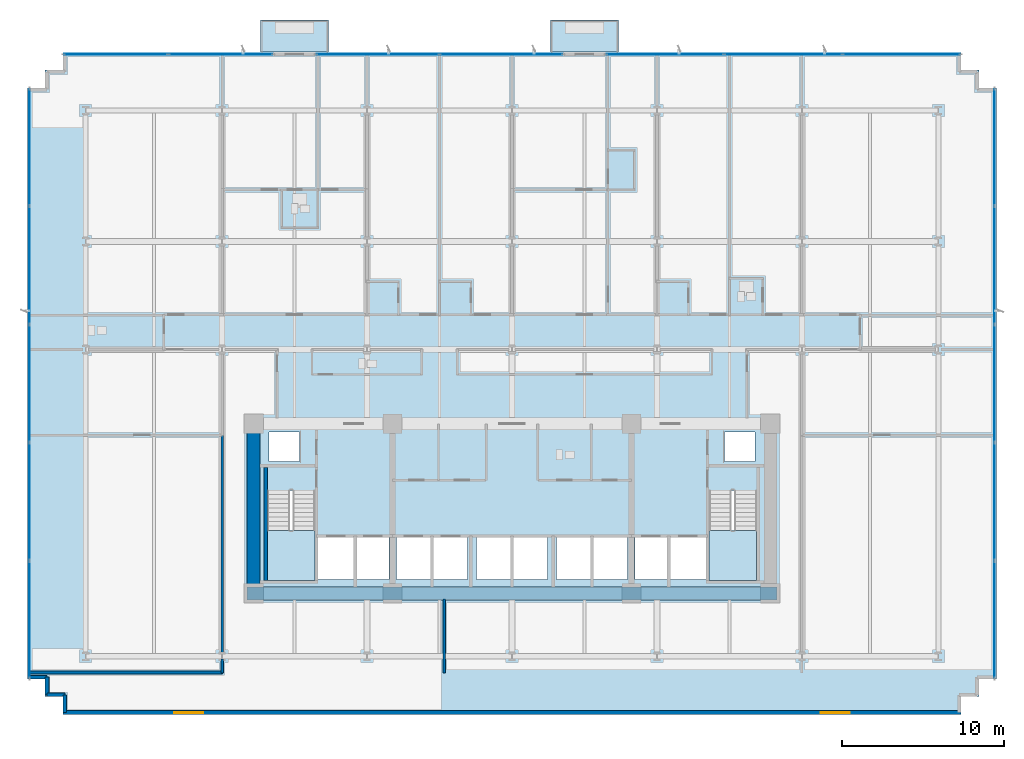
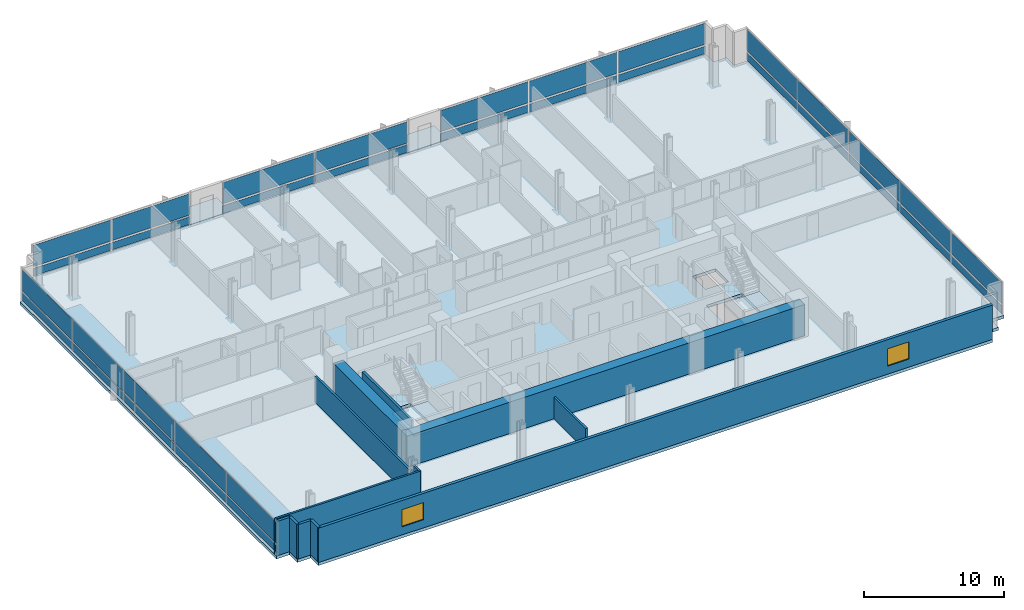
# One storey, part 7 of 15: 34 plates, 12 walls, 5 slabs, 2 windows, 2 openings, 7 elements without a shape of their own.
"""IFC4 building model written with IfcOpenShell, lengths in metres."""

from ifc_helpers import new_model, si_unit, direction, frame, frame_2d, origin, origin_2d, place, context, subcontext, project, spatial, polyline, rectangle, outline, extrude, material, layer, layer_set, type_object, element, fill, aggregate, save


model = new_model("IFC4")

# Units and contexts
model_context = context("Model", 3, precision=1e-05, world=origin(), true_north=direction((0.0, 1.0)))
body_context = subcontext(model_context, "Body", "Model", "MODEL_VIEW")
ifc_project = project(units=[si_unit("LENGTHUNIT", "METRE"), si_unit("AREAUNIT", "SQUARE_METRE"), si_unit("VOLUMEUNIT", "CUBIC_METRE"), si_unit("PLANEANGLEUNIT", "RADIAN"), si_unit("MASSUNIT", "GRAM", prefix="KILO")], contexts=[model_context])

# Site, building, storey
site_placement = place(None, origin())
site = spatial("IfcSite", under=ifc_project, at=site_placement, CompositionType="ELEMENT")
building_placement = place(site_placement, origin())
building = spatial("IfcBuilding", under=site, at=building_placement, Name="Solmavex Isthmus Hotel", CompositionType="ELEMENT")
storey_placement = place(building_placement, frame((0.0, 0.0, 71.25)))
storey = spatial("IfcBuildingStorey", under=building, at=storey_placement, Name="L19", CompositionType="ELEMENT", Elevation=71.25)

# Curtain wall, plates
ifc_material_1 = material(Name="Aluminium alloy 6063-T6", Category="aluminium")
curtain_wall_type = type_object("IfcCurtainWallType", Name="CW-SYS-02", PredefinedType="NOTDEFINED", material=ifc_material_1)
curtain_wall_1_placement = place(storey_placement, origin())
curtain_wall_1 = element("IfcCurtainWall", 1, at=curtain_wall_1_placement, inside=storey, type_object=curtain_wall_type, Name="Stick Curtain Wall CWL-L19-N1", PredefinedType="NOTDEFINED")
ifc_material_2 = material(Name="Clear low-E laminated glass", Category="glass")
ifc_layer_1 = layer(ifc_material_2, 0.031982421875)
ifc_layer_set_1 = layer_set([ifc_layer_1], Name="Clear low-E laminated glass")
plate_type = type_object("IfcPlateType", Name="CW-SYS-02-PNL", PredefinedType="CURTAIN_PANEL", material=ifc_layer_set_1)
plate_1_placement = place(storey_placement, frame((-24.522216796875, 20.3798828125, 0.16015625), z_axis=(0.0, 0.0, 1.0), x_axis=(1.0, 0.0, 0.0)))
plate_1 = element("IfcPlate", 2, at=plate_1_placement, type_object=plate_type, Name="CW-02 panel 1.1", PredefinedType="CURTAIN_PANEL", context=body_context, shape_type="SweptSolid", body=[
    extrude(rectangle(XDim=6.405517578125, YDim=0.031982421875, at=origin_2d()), origin(), (0.0, 0.0, 1.0), 0.659912109375),
])
plate_2_placement = place(storey_placement, frame((-24.522216796875, 20.3798828125, 0.97998046875), z_axis=(0.0, 0.0, 1.0), x_axis=(1.0, 0.0, 0.0)))
plate_2 = element("IfcPlate", 3, at=plate_2_placement, type_object=plate_type, Name="CW-02 panel 1.2", PredefinedType="CURTAIN_PANEL", context=body_context, shape_type="SweptSolid", body=[
    extrude(rectangle(XDim=6.405517578125, YDim=0.031982421875, at=origin_2d()), origin(), (0.0, 0.0, 1.0), 1.860107421875),
])
plate_3_placement = place(storey_placement, frame((-18.041748046875, 20.3798828125, 0.16015625), z_axis=(0.0, 0.0, 1.0), x_axis=(1.0, 0.0, 0.0)))
plate_3 = element("IfcPlate", 4, at=plate_3_placement, type_object=plate_type, Name="CW-02 panel 2.1", PredefinedType="CURTAIN_PANEL", context=body_context, shape_type="SweptSolid", body=[
    extrude(rectangle(XDim=6.405517578125, YDim=0.031982421875, at=origin_2d()), origin(), (0.0, 0.0, 1.0), 0.659912109375),
])
plate_4_placement = place(storey_placement, frame((-18.041748046875, 20.3798828125, 0.97998046875), z_axis=(0.0, 0.0, 1.0), x_axis=(1.0, 0.0, 0.0)))
plate_4 = element("IfcPlate", 5, at=plate_4_placement, type_object=plate_type, Name="CW-02 panel 2.2", PredefinedType="CURTAIN_PANEL", context=body_context, shape_type="SweptSolid", body=[
    extrude(rectangle(XDim=6.405517578125, YDim=0.031982421875, at=origin_2d()), origin(), (0.0, 0.0, 1.0), 1.860107421875),
])
aggregate(curtain_wall_1, [plate_1, plate_2, plate_3, plate_4])

curtain_wall_2_placement = place(storey_placement, origin())
curtain_wall_2 = element("IfcCurtainWall", 6, at=curtain_wall_2_placement, inside=storey, type_object=curtain_wall_type, Name="Stick Curtain Wall CWL-L19-N2", PredefinedType="NOTDEFINED")
plate_5_placement = place(storey_placement, frame((-8.30712890625, 20.3798828125, 0.16015625), z_axis=(0.0, 0.0, 1.0), x_axis=(1.0, 0.0, 0.0)))
plate_5 = element("IfcPlate", 7, at=plate_5_placement, type_object=plate_type, Name="CW-02 panel 1.1", PredefinedType="CURTAIN_PANEL", context=body_context, shape_type="SweptSolid", body=[
    extrude(rectangle(XDim=7.5634765625, YDim=0.031982421875, at=origin_2d()), origin(), (0.0, 0.0, 1.0), 0.659912109375),
])
plate_6_placement = place(storey_placement, frame((-8.30712890625, 20.3798828125, 0.97998046875), z_axis=(0.0, 0.0, 1.0), x_axis=(1.0, 0.0, 0.0)))
plate_6 = element("IfcPlate", 8, at=plate_6_placement, type_object=plate_type, Name="CW-02 panel 1.2", PredefinedType="CURTAIN_PANEL", context=body_context, shape_type="SweptSolid", body=[
    extrude(rectangle(XDim=7.5634765625, YDim=0.031982421875, at=origin_2d()), origin(), (0.0, 0.0, 1.0), 1.860107421875),
])
plate_7_placement = place(storey_placement, frame((-0.668701171875, 20.3798828125, 0.16015625), z_axis=(0.0, 0.0, 1.0), x_axis=(1.0, 0.0, 0.0)))
plate_7 = element("IfcPlate", 9, at=plate_7_placement, type_object=plate_type, Name="CW-02 panel 2.1", PredefinedType="CURTAIN_PANEL", context=body_context, shape_type="SweptSolid", body=[
    extrude(rectangle(XDim=7.5634765625, YDim=0.031982421875, at=origin_2d()), origin(), (0.0, 0.0, 1.0), 0.659912109375),
])
plate_8_placement = place(storey_placement, frame((-0.668701171875, 20.3798828125, 0.97998046875), z_axis=(0.0, 0.0, 1.0), x_axis=(1.0, 0.0, 0.0)))
plate_8 = element("IfcPlate", 10, at=plate_8_placement, type_object=plate_type, Name="CW-02 panel 2.2", PredefinedType="CURTAIN_PANEL", context=body_context, shape_type="SweptSolid", body=[
    extrude(rectangle(XDim=7.5634765625, YDim=0.031982421875, at=origin_2d()), origin(), (0.0, 0.0, 1.0), 1.860107421875),
])
aggregate(curtain_wall_2, [plate_5, plate_6, plate_7, plate_8])

curtain_wall_3_placement = place(storey_placement, origin())
curtain_wall_3 = element("IfcCurtainWall", 11, at=curtain_wall_3_placement, inside=storey, type_object=curtain_wall_type, Name="Stick Curtain Wall CWL-L19-N3", PredefinedType="NOTDEFINED")
plate_9_placement = place(storey_placement, frame((9.475341796875, 20.3798828125, 0.16015625), z_axis=(0.0, 0.0, 1.0), x_axis=(1.0, 0.0, 0.0)))
plate_9 = element("IfcPlate", 12, at=plate_9_placement, type_object=plate_type, Name="CW-02 panel 1.1", PredefinedType="CURTAIN_PANEL", context=body_context, shape_type="SweptSolid", body=[
    extrude(rectangle(XDim=7.224853515625, YDim=0.031982421875, at=origin_2d()), origin(), (0.0, 0.0, 1.0), 0.659912109375),
])
plate_10_placement = place(storey_placement, frame((9.475341796875, 20.3798828125, 0.97998046875), z_axis=(0.0, 0.0, 1.0), x_axis=(1.0, 0.0, 0.0)))
plate_10 = element("IfcPlate", 13, at=plate_10_placement, type_object=plate_type, Name="CW-02 panel 1.2", PredefinedType="CURTAIN_PANEL", context=body_context, shape_type="SweptSolid", body=[
    extrude(rectangle(XDim=7.224853515625, YDim=0.031982421875, at=origin_2d()), origin(), (0.0, 0.0, 1.0), 1.860107421875),
])
plate_11_placement = place(storey_placement, frame((16.7939453125, 20.3798828125, 0.16015625), z_axis=(0.0, 0.0, 1.0), x_axis=(1.0, 0.0, 0.0)))
plate_11 = element("IfcPlate", 14, at=plate_11_placement, type_object=plate_type, Name="CW-02 panel 2.1", PredefinedType="CURTAIN_PANEL", context=body_context, shape_type="SweptSolid", body=[
    extrude(rectangle(XDim=7.262451171875, YDim=0.031982421875, at=origin_2d()), origin(), (0.0, 0.0, 1.0), 0.659912109375),
])
plate_12_placement = place(storey_placement, frame((16.7939453125, 20.3798828125, 0.97998046875), z_axis=(0.0, 0.0, 1.0), x_axis=(1.0, 0.0, 0.0)))
plate_12 = element("IfcPlate", 15, at=plate_12_placement, type_object=plate_type, Name="CW-02 panel 2.2", PredefinedType="CURTAIN_PANEL", context=body_context, shape_type="SweptSolid", body=[
    extrude(rectangle(XDim=7.262451171875, YDim=0.031982421875, at=origin_2d()), origin(), (0.0, 0.0, 1.0), 1.860107421875),
])
plate_13_placement = place(storey_placement, frame((24.112548828125, 20.3798828125, 0.16015625), z_axis=(0.0, 0.0, 1.0), x_axis=(1.0, 0.0, 0.0)))
plate_13 = element("IfcPlate", 16, at=plate_13_placement, type_object=plate_type, Name="CW-02 panel 3.1", PredefinedType="CURTAIN_PANEL", context=body_context, shape_type="SweptSolid", body=[
    extrude(rectangle(XDim=7.224853515625, YDim=0.031982421875, at=origin_2d()), origin(), (0.0, 0.0, 1.0), 0.659912109375),
])
plate_14_placement = place(storey_placement, frame((24.112548828125, 20.3798828125, 0.97998046875), z_axis=(0.0, 0.0, 1.0), x_axis=(1.0, 0.0, 0.0)))
plate_14 = element("IfcPlate", 17, at=plate_14_placement, type_object=plate_type, Name="CW-02 panel 3.2", PredefinedType="CURTAIN_PANEL", context=body_context, shape_type="SweptSolid", body=[
    extrude(rectangle(XDim=7.224853515625, YDim=0.031982421875, at=origin_2d()), origin(), (0.0, 0.0, 1.0), 1.860107421875),
])
aggregate(curtain_wall_3, [plate_9, plate_10, plate_11, plate_12, plate_13, plate_14])

curtain_wall_4_placement = place(storey_placement, origin())
curtain_wall_4 = element("IfcCurtainWall", 18, at=curtain_wall_4_placement, inside=storey, type_object=curtain_wall_type, Name="Stick Curtain Wall CWL-L19-W1", PredefinedType="NOTDEFINED")
plate_15_placement = place(storey_placement, frame((-29.8798828125, -14.621337890625, 0.16015625), z_axis=(0.0, 0.0, 1.0), x_axis=(0.0, 1.0, 0.0)))
plate_15 = element("IfcPlate", 19, at=plate_15_placement, type_object=plate_type, Name="CW-02 panel 1.1", PredefinedType="CURTAIN_PANEL", context=body_context, shape_type="SweptSolid", body=[
    extrude(rectangle(XDim=7.20751953125, YDim=0.031982421875, at=origin_2d()), origin(), (0.0, 0.0, 1.0), 0.659912109375),
])
plate_16_placement = place(storey_placement, frame((-29.8798828125, -14.621337890625, 0.97998046875), z_axis=(0.0, 0.0, 1.0), x_axis=(0.0, 1.0, 0.0)))
plate_16 = element("IfcPlate", 20, at=plate_16_placement, type_object=plate_type, Name="CW-02 panel 1.2", PredefinedType="CURTAIN_PANEL", context=body_context, shape_type="SweptSolid", body=[
    extrude(rectangle(XDim=7.20751953125, YDim=0.031982421875, at=origin_2d()), origin(), (0.0, 0.0, 1.0), 1.860107421875),
])
plate_17_placement = place(storey_placement, frame((-29.8798828125, -7.320068359375, 0.16015625), z_axis=(0.0, 0.0, 1.0), x_axis=(0.0, 1.0, 0.0)))
plate_17 = element("IfcPlate", 21, at=plate_17_placement, type_object=plate_type, Name="CW-02 panel 2.1", PredefinedType="CURTAIN_PANEL", context=body_context, shape_type="SweptSolid", body=[
    extrude(rectangle(XDim=7.2451171875, YDim=0.031982421875, at=origin_2d()), origin(), (0.0, 0.0, 1.0), 0.659912109375),
])
plate_18_placement = place(storey_placement, frame((-29.8798828125, -7.320068359375, 0.97998046875), z_axis=(0.0, 0.0, 1.0), x_axis=(0.0, 1.0, 0.0)))
plate_18 = element("IfcPlate", 22, at=plate_18_placement, type_object=plate_type, Name="CW-02 panel 2.2", PredefinedType="CURTAIN_PANEL", context=body_context, shape_type="SweptSolid", body=[
    extrude(rectangle(XDim=7.2451171875, YDim=0.031982421875, at=origin_2d()), origin(), (0.0, 0.0, 1.0), 1.860107421875),
])
plate_19_placement = place(storey_placement, frame((-29.8798828125, 0.0, 0.16015625), z_axis=(0.0, 0.0, 1.0), x_axis=(0.0, 1.0, 0.0)))
plate_19 = element("IfcPlate", 23, at=plate_19_placement, type_object=plate_type, Name="CW-02 panel 3.1", PredefinedType="CURTAIN_PANEL", context=body_context, shape_type="SweptSolid", body=[
    extrude(rectangle(XDim=7.2451171875, YDim=0.031982421875, at=origin_2d()), origin(), (0.0, 0.0, 1.0), 0.659912109375),
])
plate_20_placement = place(storey_placement, frame((-29.8798828125, 0.0, 0.97998046875), z_axis=(0.0, 0.0, 1.0), x_axis=(0.0, 1.0, 0.0)))
plate_20 = element("IfcPlate", 24, at=plate_20_placement, type_object=plate_type, Name="CW-02 panel 3.2", PredefinedType="CURTAIN_PANEL", context=body_context, shape_type="SweptSolid", body=[
    extrude(rectangle(XDim=7.2451171875, YDim=0.031982421875, at=origin_2d()), origin(), (0.0, 0.0, 1.0), 1.860107421875),
])
plate_21_placement = place(storey_placement, frame((-29.8798828125, 7.320068359375, 0.16015625), z_axis=(0.0, 0.0, 1.0), x_axis=(0.0, 1.0, 0.0)))
plate_21 = element("IfcPlate", 25, at=plate_21_placement, type_object=plate_type, Name="CW-02 panel 4.1", PredefinedType="CURTAIN_PANEL", context=body_context, shape_type="SweptSolid", body=[
    extrude(rectangle(XDim=7.2451171875, YDim=0.031982421875, at=origin_2d()), origin(), (0.0, 0.0, 1.0), 0.659912109375),
])
plate_22_placement = place(storey_placement, frame((-29.8798828125, 7.320068359375, 0.97998046875), z_axis=(0.0, 0.0, 1.0), x_axis=(0.0, 1.0, 0.0)))
plate_22 = element("IfcPlate", 26, at=plate_22_placement, type_object=plate_type, Name="CW-02 panel 4.2", PredefinedType="CURTAIN_PANEL", context=body_context, shape_type="SweptSolid", body=[
    extrude(rectangle(XDim=7.2451171875, YDim=0.031982421875, at=origin_2d()), origin(), (0.0, 0.0, 1.0), 1.860107421875),
])
plate_23_placement = place(storey_placement, frame((-29.8798828125, 14.621337890625, 0.16015625), z_axis=(0.0, 0.0, 1.0), x_axis=(0.0, 1.0, 0.0)))
plate_23 = element("IfcPlate", 27, at=plate_23_placement, type_object=plate_type, Name="CW-02 panel 5.1", PredefinedType="CURTAIN_PANEL", context=body_context, shape_type="SweptSolid", body=[
    extrude(rectangle(XDim=7.20751953125, YDim=0.031982421875, at=origin_2d()), origin(), (0.0, 0.0, 1.0), 0.659912109375),
])
plate_24_placement = place(storey_placement, frame((-29.8798828125, 14.621337890625, 0.97998046875), z_axis=(0.0, 0.0, 1.0), x_axis=(0.0, 1.0, 0.0)))
plate_24 = element("IfcPlate", 28, at=plate_24_placement, type_object=plate_type, Name="CW-02 panel 5.2", PredefinedType="CURTAIN_PANEL", context=body_context, shape_type="SweptSolid", body=[
    extrude(rectangle(XDim=7.20751953125, YDim=0.031982421875, at=origin_2d()), origin(), (0.0, 0.0, 1.0), 1.860107421875),
])
aggregate(curtain_wall_4, [plate_15, plate_16, plate_17, plate_18, plate_19, plate_20, plate_21, plate_22, plate_23, plate_24])

curtain_wall_5_placement = place(storey_placement, origin())
curtain_wall_5 = element("IfcCurtainWall", 29, at=curtain_wall_5_placement, inside=storey, type_object=curtain_wall_type, Name="Stick Curtain Wall CWL-L19-E1", PredefinedType="NOTDEFINED")
plate_25_placement = place(storey_placement, frame((29.8798828125, -14.621337890625, 0.16015625), z_axis=(0.0, 0.0, 1.0), x_axis=(0.0, 1.0, 0.0)))
plate_25 = element("IfcPlate", 30, at=plate_25_placement, type_object=plate_type, Name="CW-02 panel 1.1", PredefinedType="CURTAIN_PANEL", context=body_context, shape_type="SweptSolid", body=[
    extrude(rectangle(XDim=7.20751953125, YDim=0.031982421875, at=origin_2d()), origin(), (0.0, 0.0, 1.0), 0.659912109375),
])
plate_26_placement = place(storey_placement, frame((29.8798828125, -14.621337890625, 0.97998046875), z_axis=(0.0, 0.0, 1.0), x_axis=(0.0, 1.0, 0.0)))
plate_26 = element("IfcPlate", 31, at=plate_26_placement, type_object=plate_type, Name="CW-02 panel 1.2", PredefinedType="CURTAIN_PANEL", context=body_context, shape_type="SweptSolid", body=[
    extrude(rectangle(XDim=7.20751953125, YDim=0.031982421875, at=origin_2d()), origin(), (0.0, 0.0, 1.0), 1.860107421875),
])
plate_27_placement = place(storey_placement, frame((29.8798828125, -7.320068359375, 0.16015625), z_axis=(0.0, 0.0, 1.0), x_axis=(0.0, 1.0, 0.0)))
plate_27 = element("IfcPlate", 32, at=plate_27_placement, type_object=plate_type, Name="CW-02 panel 2.1", PredefinedType="CURTAIN_PANEL", context=body_context, shape_type="SweptSolid", body=[
    extrude(rectangle(XDim=7.2451171875, YDim=0.031982421875, at=origin_2d()), origin(), (0.0, 0.0, 1.0), 0.659912109375),
])
plate_28_placement = place(storey_placement, frame((29.8798828125, -7.320068359375, 0.97998046875), z_axis=(0.0, 0.0, 1.0), x_axis=(0.0, 1.0, 0.0)))
plate_28 = element("IfcPlate", 33, at=plate_28_placement, type_object=plate_type, Name="CW-02 panel 2.2", PredefinedType="CURTAIN_PANEL", context=body_context, shape_type="SweptSolid", body=[
    extrude(rectangle(XDim=7.2451171875, YDim=0.031982421875, at=origin_2d()), origin(), (0.0, 0.0, 1.0), 1.860107421875),
])
plate_29_placement = place(storey_placement, frame((29.8798828125, 0.0, 0.16015625), z_axis=(0.0, 0.0, 1.0), x_axis=(0.0, 1.0, 0.0)))
plate_29 = element("IfcPlate", 34, at=plate_29_placement, type_object=plate_type, Name="CW-02 panel 3.1", PredefinedType="CURTAIN_PANEL", context=body_context, shape_type="SweptSolid", body=[
    extrude(rectangle(XDim=7.2451171875, YDim=0.031982421875, at=origin_2d()), origin(), (0.0, 0.0, 1.0), 0.659912109375),
])
plate_30_placement = place(storey_placement, frame((29.8798828125, 0.0, 0.97998046875), z_axis=(0.0, 0.0, 1.0), x_axis=(0.0, 1.0, 0.0)))
plate_30 = element("IfcPlate", 35, at=plate_30_placement, type_object=plate_type, Name="CW-02 panel 3.2", PredefinedType="CURTAIN_PANEL", context=body_context, shape_type="SweptSolid", body=[
    extrude(rectangle(XDim=7.2451171875, YDim=0.031982421875, at=origin_2d()), origin(), (0.0, 0.0, 1.0), 1.860107421875),
])
plate_31_placement = place(storey_placement, frame((29.8798828125, 7.320068359375, 0.16015625), z_axis=(0.0, 0.0, 1.0), x_axis=(0.0, 1.0, 0.0)))
plate_31 = element("IfcPlate", 36, at=plate_31_placement, type_object=plate_type, Name="CW-02 panel 4.1", PredefinedType="CURTAIN_PANEL", context=body_context, shape_type="SweptSolid", body=[
    extrude(rectangle(XDim=7.2451171875, YDim=0.031982421875, at=origin_2d()), origin(), (0.0, 0.0, 1.0), 0.659912109375),
])
plate_32_placement = place(storey_placement, frame((29.8798828125, 7.320068359375, 0.97998046875), z_axis=(0.0, 0.0, 1.0), x_axis=(0.0, 1.0, 0.0)))
plate_32 = element("IfcPlate", 37, at=plate_32_placement, type_object=plate_type, Name="CW-02 panel 4.2", PredefinedType="CURTAIN_PANEL", context=body_context, shape_type="SweptSolid", body=[
    extrude(rectangle(XDim=7.2451171875, YDim=0.031982421875, at=origin_2d()), origin(), (0.0, 0.0, 1.0), 1.860107421875),
])
plate_33_placement = place(storey_placement, frame((29.8798828125, 14.621337890625, 0.16015625), z_axis=(0.0, 0.0, 1.0), x_axis=(0.0, 1.0, 0.0)))
plate_33 = element("IfcPlate", 38, at=plate_33_placement, type_object=plate_type, Name="CW-02 panel 5.1", PredefinedType="CURTAIN_PANEL", context=body_context, shape_type="SweptSolid", body=[
    extrude(rectangle(XDim=7.20751953125, YDim=0.031982421875, at=origin_2d()), origin(), (0.0, 0.0, 1.0), 0.659912109375),
])
plate_34_placement = place(storey_placement, frame((29.8798828125, 14.621337890625, 0.97998046875), z_axis=(0.0, 0.0, 1.0), x_axis=(0.0, 1.0, 0.0)))
plate_34 = element("IfcPlate", 39, at=plate_34_placement, type_object=plate_type, Name="CW-02 panel 5.2", PredefinedType="CURTAIN_PANEL", context=body_context, shape_type="SweptSolid", body=[
    extrude(rectangle(XDim=7.20751953125, YDim=0.031982421875, at=origin_2d()), origin(), (0.0, 0.0, 1.0), 1.860107421875),
])
aggregate(curtain_wall_5, [plate_25, plate_26, plate_27, plate_28, plate_29, plate_30, plate_31, plate_32, plate_33, plate_34])

# Slabs
ifc_material_3 = material(Name="Concrete C40/50", Category="concrete")
ifc_layer_2 = layer(ifc_material_3, 0.239990234375)
ifc_layer_set_2 = layer_set([ifc_layer_2], Name="Concrete C40/50")
slab_type_1 = type_object("IfcSlabType", Name="SLAB-BALC-240", PredefinedType="FLOOR", material=ifc_layer_set_2)
slab_1_placement = place(storey_placement, frame((0.0, 0.0, -0.239990234375)))
element("IfcSlab", 40, at=slab_1_placement, inside=storey, type_object=slab_type_1, Name="Tree-Planter Balcony Slab L19-B1", PredefinedType="FLOOR", context=body_context, shape_type="SweptSolid", body=[
    extrude(outline(polyline([(-15.56396484375, 20.514892578125), (-11.364013671875, 20.514892578125), (-11.364013671875, 22.5), (-15.56396484375, 22.5), (-15.56396484375, 20.514892578125)])), origin(), (0.0, 0.0, 1.0), 0.239990234375),
])
slab_2_placement = place(storey_placement, frame((0.0, 0.0, -0.239990234375)))
element("IfcSlab", 41, at=slab_2_placement, inside=storey, type_object=slab_type_1, Name="Tree-Planter Balcony Slab L19-B2", PredefinedType="FLOOR", context=body_context, shape_type="SweptSolid", body=[
    extrude(outline(polyline([(2.387939453125, 20.514892578125), (6.587890625, 20.514892578125), (6.587890625, 22.5), (2.387939453125, 22.5), (2.387939453125, 20.514892578125)])), origin(), (0.0, 0.0, 1.0), 0.239990234375),
])
ifc_layer_3 = layer(ifc_material_3, 0.260009765625)
ifc_layer_set_3 = layer_set([ifc_layer_3], Name="Concrete C40/50")
slab_type_2 = type_object("IfcSlabType", Name="SLAB-TYP-260", PredefinedType="FLOOR", material=ifc_layer_set_3)
slab_3_placement = place(storey_placement, frame((0.0, 0.0, -0.260009765625)))
element("IfcSlab", 42, at=slab_3_placement, inside=storey, type_object=slab_type_2, Name="Tower Structural Floor Slab L19", PredefinedType="FLOOR", context=body_context, shape_type="SweptSolid", body=[
    extrude(outline(polyline([(-26.699951171875, -20.5), (26.699951171875, -20.5), (27.800048828125, -20.5), (27.800048828125, -19.39990234375), (28.89990234375, -19.39990234375), (28.89990234375, -18.300048828125), (30.0, -18.300048828125), (30.0, -17.199951171875), (30.0, 17.199951171875), (30.0, 18.300048828125), (28.89990234375, 18.300048828125), (28.89990234375, 19.39990234375), (27.800048828125, 19.39990234375), (27.800048828125, 20.5), (26.699951171875, 20.5), (-26.699951171875, 20.5), (-27.800048828125, 20.5), (-27.800048828125, 19.39990234375), (-28.89990234375, 19.39990234375), (-28.89990234375, 18.300048828125), (-30.0, 18.300048828125), (-30.0, 17.199951171875), (-30.0, -17.199951171875), (-30.0, -18.300048828125), (-28.89990234375, -18.300048828125), (-28.89990234375, -19.39990234375), (-27.800048828125, -19.39990234375), (-27.800048828125, -20.5), (-26.699951171875, -20.5)]), holes=[polyline([(-15.14990234375, -6.617919921875), (-15.14990234375, -12.199951171875), (-12.199951171875, -12.199951171875), (-12.199951171875, -6.617919921875), (-15.14990234375, -6.617919921875)]), polyline([(12.199951171875, -6.617919921875), (12.199951171875, -12.199951171875), (15.14990234375, -12.199951171875), (15.14990234375, -6.617919921875), (12.199951171875, -6.617919921875)]), polyline([(-12.0, -12.14990234375), (-9.800048828125, -12.14990234375), (-9.800048828125, -9.550048828125), (-12.0, -9.550048828125), (-12.0, -12.14990234375)]), polyline([(9.800048828125, -12.14990234375), (12.0, -12.14990234375), (12.0, -9.550048828125), (9.800048828125, -9.550048828125), (9.800048828125, -12.14990234375)]), polyline([(-9.60009765625, -12.14990234375), (-7.60009765625, -12.14990234375), (-7.60009765625, -9.550048828125), (-9.60009765625, -9.550048828125), (-9.60009765625, -12.14990234375)]), polyline([(7.60009765625, -12.14990234375), (9.60009765625, -12.14990234375), (9.60009765625, -9.550048828125), (7.60009765625, -9.550048828125), (7.60009765625, -12.14990234375)]), polyline([(-7.14990234375, -12.14990234375), (-5.050048828125, -12.14990234375), (-5.050048828125, -9.550048828125), (-7.14990234375, -9.550048828125), (-7.14990234375, -12.14990234375)]), polyline([(-4.85009765625, -12.14990234375), (-2.75, -12.14990234375), (-2.75, -9.550048828125), (-4.85009765625, -9.550048828125), (-4.85009765625, -12.14990234375)]), polyline([(-2.199951171875, -12.14990234375), (-0.10009765625, -12.14990234375), (-0.10009765625, -9.550048828125), (-2.199951171875, -9.550048828125), (-2.199951171875, -12.14990234375)]), polyline([(0.10009765625, -12.14990234375), (2.199951171875, -12.14990234375), (2.199951171875, -9.550048828125), (0.10009765625, -9.550048828125), (0.10009765625, -12.14990234375)]), polyline([(2.75, -12.14990234375), (4.85009765625, -12.14990234375), (4.85009765625, -9.550048828125), (2.75, -9.550048828125), (2.75, -12.14990234375)]), polyline([(5.050048828125, -12.14990234375), (7.14990234375, -12.14990234375), (7.14990234375, -9.550048828125), (5.050048828125, -9.550048828125), (5.050048828125, -12.14990234375)]), polyline([(-15.050048828125, -4.85009765625), (-13.14990234375, -4.85009765625), (-13.14990234375, -3.0), (-15.050048828125, -3.0), (-15.050048828125, -4.85009765625)]), polyline([(13.14990234375, -4.85009765625), (15.050048828125, -4.85009765625), (15.050048828125, -3.0), (13.14990234375, -3.0), (13.14990234375, -4.85009765625)])]), origin(), (0.0, 0.0, 1.0), 0.260009765625),
])

# Stair, slab
stair_type_1 = type_object("IfcStairType", Name="STR-ST-1", PredefinedType="HALF_TURN_STAIR", material=ifc_material_3)
stair_1_placement = place(storey_placement, origin())
stair_1 = element("IfcStair", 43, at=stair_1_placement, inside=storey, type_object=stair_type_1, Name="L19 Protected Exit Stair ST-1", PredefinedType="HALF_TURN_STAIR")
ifc_layer_4 = layer(ifc_material_3, 0.219970703125)
ifc_layer_set_4 = layer_set([ifc_layer_4], Name="Concrete C40/50")
slab_type_3 = type_object("IfcSlabType", Name="SLD-ST-1", PredefinedType="LANDING", material=ifc_layer_set_4)
slab_4_placement = place(storey_placement, frame((0.0, 0.0, 1.52490234375)))
slab_4 = element("IfcSlab", 44, at=slab_4_placement, type_object=slab_type_3, Name="ST-1 landing 1", PredefinedType="LANDING", context=body_context, shape_type="SweptSolid", body=[
    extrude(outline(polyline([(-15.14990234375, -9.1201171875), (-15.14990234375, -12.199951171875), (-12.199951171875, -12.199951171875), (-12.199951171875, -9.1201171875), (-15.14990234375, -9.1201171875)])), origin(), (0.0, 0.0, 1.0), 0.2001953125),
])
aggregate(stair_1, [slab_4])

stair_type_2 = type_object("IfcStairType", Name="STR-ST-2", PredefinedType="HALF_TURN_STAIR", material=ifc_material_3)
stair_2_placement = place(storey_placement, origin())
stair_2 = element("IfcStair", 45, at=stair_2_placement, inside=storey, type_object=stair_type_2, Name="L19 Protected Exit Stair ST-2", PredefinedType="HALF_TURN_STAIR")
ifc_layer_5 = layer(ifc_material_3, 0.219970703125)
ifc_layer_set_5 = layer_set([ifc_layer_5], Name="Concrete C40/50")
slab_type_4 = type_object("IfcSlabType", Name="SLD-ST-2", PredefinedType="LANDING", material=ifc_layer_set_5)
slab_5_placement = place(storey_placement, frame((0.0, 0.0, 1.52490234375)))
slab_5 = element("IfcSlab", 46, at=slab_5_placement, type_object=slab_type_4, Name="ST-2 landing 1", PredefinedType="LANDING", context=body_context, shape_type="SweptSolid", body=[
    extrude(outline(polyline([(12.199951171875, -9.1201171875), (12.199951171875, -12.199951171875), (15.14990234375, -12.199951171875), (15.14990234375, -9.1201171875), (12.199951171875, -9.1201171875)])), origin(), (0.0, 0.0, 1.0), 0.2001953125),
])
aggregate(stair_2, [slab_5])

# Wall, openings, windows
ifc_material_4 = material(Name="Precast Concrete C40/50", Category="concrete")
ifc_layer_6 = layer(ifc_material_4, 0.25)
ifc_layer_set_6 = layer_set([ifc_layer_6], Name="Precast Concrete C40/50")
wall_type_1 = type_object("IfcWallType", Name="EW-TWR-250", PredefinedType="STANDARD", material=ifc_layer_set_6)
wall_1_placement = place(storey_placement, frame((-27.800048828125, -20.3798828125, 0.0), z_axis=(0.0, 0.0, 1.0), x_axis=(1.0, 0.0, 0.0)))
wall_1 = element("IfcWall", 47, at=wall_1_placement, inside=storey, type_object=wall_type_1, Name="Tower Rear South Facade Wall L19", PredefinedType="STANDARD", context=body_context, shape_type="SweptSolid", body=[
    extrude(rectangle(XDim=55.60009765625, YDim=0.239990234375, at=frame_2d((27.800048828125, 0.0))), origin(), (0.0, 0.0, 1.0), 3.0),
])
opening_1_placement = place(wall_1_placement, frame((6.884033203125, 0.0, 0.699951171875)))
opening_1 = element("IfcOpeningElement", 48, at=opening_1_placement, cuts=wall_1, Name="Opening WN-02", PredefinedType="OPENING", context=body_context, shape_type="SweptSolid", body=[
    extrude(rectangle(XDim=1.800048828125, YDim=1.5, at=frame_2d((0.89990234375, 0.75))), frame((0.0, 0.1298828125, 0.0), z_axis=(0.0, -1.0, 0.0), x_axis=(1.0, 0.0, 0.0)), (0.0, 0.0, 1.0), 0.260009765625),
])
opening_2_placement = place(wall_1_placement, frame((46.916015625, 0.0, 0.699951171875)))
opening_2 = element("IfcOpeningElement", 49, at=opening_2_placement, cuts=wall_1, Name="Opening WN-02", PredefinedType="OPENING", context=body_context, shape_type="SweptSolid", body=[
    extrude(rectangle(XDim=1.800048828125, YDim=1.5, at=frame_2d((0.89990234375, 0.75))), frame((0.0, 0.1298828125, 0.0), z_axis=(0.0, -1.0, 0.0), x_axis=(1.0, 0.0, 0.0)), (0.0, 0.0, 1.0), 0.260009765625),
])
window_type = type_object("IfcWindowType", Name="WIN-TWR-1800", PartitioningType="SINGLE_PANEL", PredefinedType="WINDOW", material=ifc_material_2)
window_1_placement = place(opening_1_placement, origin())
window_1 = element("IfcWindow", 50, at=window_1_placement, inside=storey, type_object=window_type, Name="South Facade Vision Window L19-S1", OverallHeight=1.5, OverallWidth=1.800048828125, PartitioningType="SINGLE_PANEL", PredefinedType="WINDOW", context=body_context, shape_type="SweptSolid", body=[
    extrude(rectangle(XDim=1.800048828125, YDim=1.5, at=frame_2d((0.89990234375, 0.75))), frame((0.0, 0.030029296875, 0.0), z_axis=(0.0, -1.0, 0.0), x_axis=(1.0, 0.0, 0.0)), (0.0, 0.0, 1.0), 0.06005859375),
])
fill(opening_1, window_1)
window_2_placement = place(opening_2_placement, origin())
window_2 = element("IfcWindow", 51, at=window_2_placement, inside=storey, type_object=window_type, Name="South Facade Vision Window L19-S2", OverallHeight=1.5, OverallWidth=1.800048828125, PartitioningType="SINGLE_PANEL", PredefinedType="WINDOW", context=body_context, shape_type="SweptSolid", body=[
    extrude(rectangle(XDim=1.800048828125, YDim=1.5, at=frame_2d((0.89990234375, 0.75))), frame((0.0, 0.030029296875, 0.0), z_axis=(0.0, -1.0, 0.0), x_axis=(1.0, 0.0, 0.0)), (0.0, 0.0, 1.0), 0.06005859375),
])
fill(opening_2, window_2)

# Walls
wall_2_placement = place(storey_placement, frame((-27.68994140625, -20.389892578125, 0.0), z_axis=(0.0, 0.0, 1.0), x_axis=(0.0, 1.0, 0.0)))
element("IfcWall", 52, at=wall_2_placement, inside=storey, type_object=wall_type_1, Name="Serrated Corner Facade Panel L19-01", PredefinedType="STANDARD", context=body_context, shape_type="SweptSolid", body=[
    extrude(rectangle(XDim=1.099853515625, YDim=0.219970703125, at=frame_2d((0.5498046875, 0.0))), origin(), (0.0, 0.0, 1.0), 3.0),
])
for number, where, z_axis, x_axis, name in (
    (53, (-27.68994140625, -19.2900390625, 0.0), (0.0, 0.0, 1.0), (-1.0, 0.0, 0.0), "Serrated Corner Facade Panel L19-02"),
    (54, (-28.7900390625, -19.2900390625, 0.0), (0.0, 0.0, 1.0), (0.0, 1.0, 0.0), "Serrated Corner Facade Panel L19-03"),
):
    element("IfcWall", number, at=place(storey_placement, frame(where, z_axis=z_axis, x_axis=x_axis)), inside=storey, type_object=wall_type_1, Name=name, PredefinedType="STANDARD", context=body_context, shape_type="SweptSolid", body=[
        extrude(rectangle(XDim=1.10009765625, YDim=0.219970703125, at=frame_2d((0.550048828125, 0.0))), origin(), (0.0, 0.0, 1.0), 3.0),
    ])
wall_3_placement = place(storey_placement, frame((-28.7900390625, -18.18994140625, 0.0), z_axis=(0.0, 0.0, 1.0), x_axis=(-1.0, 0.0, 0.0)))
element("IfcWall", 55, at=wall_3_placement, inside=storey, type_object=wall_type_1, Name="Serrated Corner Facade Panel L19-04", PredefinedType="STANDARD", context=body_context, shape_type="SweptSolid", body=[
    extrude(rectangle(XDim=1.099853515625, YDim=0.219970703125, at=frame_2d((0.5498046875, 0.0))), origin(), (0.0, 0.0, 1.0), 3.0),
])
ifc_material_5 = material(Name="Gypsum plasterboard lining", Category="gypsum")
ifc_layer_7 = layer(ifc_material_5, 0.159912109375)
ifc_layer_set_7 = layer_set([ifc_layer_7], Name="Gypsum plasterboard lining")
wall_type_2 = type_object("IfcWallType", Name="IW-COMP-160", PredefinedType="PARTITIONING", material=ifc_layer_set_7)
wall_4_placement = place(storey_placement, frame((-4.199951171875, -17.93994140625, 0.0), z_axis=(0.0, 0.0, 1.0), x_axis=(0.0, 1.0, 0.0)))
element("IfcWall", 56, at=wall_4_placement, inside=storey, type_object=wall_type_2, Name="Interior Partition Wall W-L19-P092", PredefinedType="PARTITIONING", context=body_context, shape_type="SweptSolid", body=[
    extrude(rectangle(XDim=4.579833984375, YDim=0.159912109375, at=frame_2d((2.2900390625, 0.0))), origin(), (0.0, 0.0, 1.0), 1.885009765625),
])
wall_5_placement = place(storey_placement, frame((-29.919921875, -17.89990234375, 0.0), z_axis=(0.0, 0.0, 1.0), x_axis=(1.0, 0.0, 0.0)))
element("IfcWall", 57, at=wall_5_placement, inside=storey, type_object=wall_type_2, Name="Interior Partition Wall W-L19-P095", PredefinedType="PARTITIONING", context=body_context, shape_type="SweptSolid", body=[
    extrude(rectangle(XDim=12.0078125, YDim=0.159912109375, at=frame_2d((6.00390625, 0.0))), origin(), (0.0, 0.0, 1.0), 3.0),
])
wall_6_placement = place(storey_placement, frame((-17.951904296875, -17.93994140625, 0.0), z_axis=(0.0, 0.0, 1.0), x_axis=(0.0, 1.0, 0.0)))
element("IfcWall", 58, at=wall_6_placement, inside=storey, type_object=wall_type_2, Name="Interior Partition Wall W-L19-P096", PredefinedType="PARTITIONING", context=body_context, shape_type="SweptSolid", body=[
    extrude(rectangle(XDim=0.864990234375, YDim=0.159912109375, at=frame_2d((0.4326171875, 0.0))), origin(), (0.0, 0.0, 1.0), 3.0),
])
wall_7_placement = place(storey_placement, frame((-17.951904296875, -16.72509765625, 0.0), z_axis=(0.0, 0.0, 1.0), x_axis=(0.0, 1.0, 0.0)))
element("IfcWall", 59, at=wall_7_placement, inside=storey, type_object=wall_type_2, Name="Interior Partition Wall W-L19-P097", PredefinedType="PARTITIONING", context=body_context, shape_type="SweptSolid", body=[
    extrude(rectangle(XDim=13.607177734375, YDim=0.159912109375, at=frame_2d((6.8037109375, 0.0))), origin(), (0.0, 0.0, 1.0), 2.28955078125),
])
ifc_material_6 = material(Name="Concrete C70/85", Category="concrete")
ifc_layer_8 = layer(ifc_material_6, 0.800048828125)
ifc_layer_set_8 = layer_set([ifc_layer_8], Name="Concrete C70/85")
wall_type_3 = type_object("IfcWallType", Name="WALL-CW-800", PredefinedType="SHEAR", material=ifc_layer_set_8)
wall_8_placement = place(storey_placement, frame((-16.39990234375, -13.0, 0.0), z_axis=(0.0, 0.0, 1.0), x_axis=(1.0, 0.0, 0.0)))
element("IfcWall", 60, at=wall_8_placement, inside=storey, type_object=wall_type_3, Name="Core Shear Wall South L19", PredefinedType="SHEAR", context=body_context, shape_type="SweptSolid", body=[
    extrude(rectangle(XDim=32.7998046875, YDim=0.800048828125, at=frame_2d((16.39990234375, 0.0))), origin(), (0.0, 0.0, 1.0), 2.719970703125),
])
wall_9_placement = place(storey_placement, frame((-16.0, -12.60009765625, 0.0), z_axis=(0.0, 0.0, 1.0), x_axis=(0.0, 1.0, 0.0)))
element("IfcWall", 61, at=wall_9_placement, inside=storey, type_object=wall_type_3, Name="Core Shear Wall West L19", PredefinedType="SHEAR", context=body_context, shape_type="SweptSolid", body=[
    extrude(rectangle(XDim=9.7001953125, YDim=0.800048828125, at=frame_2d((4.85009765625, 0.0))), origin(), (0.0, 0.0, 1.0), 2.719970703125),
])
ifc_layer_9 = layer(ifc_material_3, 0.199951171875)
ifc_layer_set_9 = layer_set([ifc_layer_9], Name="Concrete C40/50")
wall_type_4 = type_object("IfcWallType", Name="WALL-SW-200", PredefinedType="SOLIDWALL", material=ifc_layer_set_9)
wall_10_placement = place(storey_placement, frame((-15.25, -12.199951171875, 0.0), z_axis=(0.0, 0.0, 1.0), x_axis=(0.0, 1.0, 0.0)))
element("IfcWall", 62, at=wall_10_placement, inside=storey, type_object=wall_type_4, Name="Stairwell Structural Wall SW-L19-ST1-W", PredefinedType="SOLIDWALL", context=body_context, shape_type="SweptSolid", body=[
    extrude(rectangle(XDim=7.0, YDim=0.199951171875, at=frame_2d((3.5, 0.0))), origin(), (0.0, 0.0, 1.0), 3.0),
])

save(model, "model.ifc")
